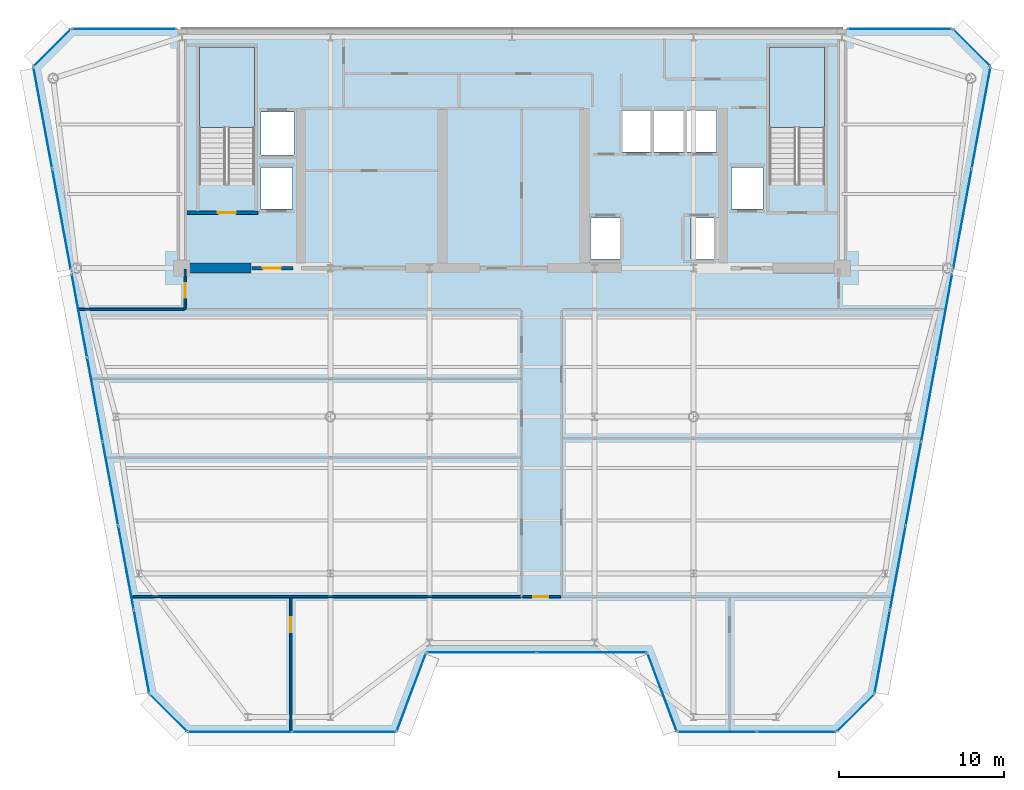
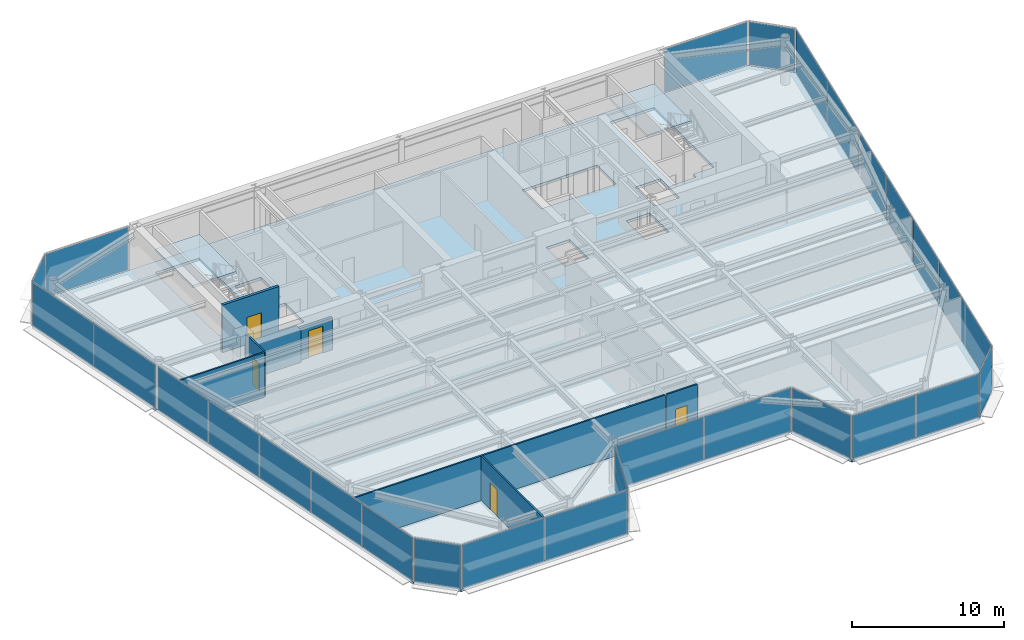
# One storey, part 10 of 17: 28 plates, 8 walls, 5 doors, 3 slabs, 5 openings, 17 elements without a shape of their own.
"""IFC4 building model written with IfcOpenShell, lengths in metres."""

from ifc_helpers import new_model, si_unit, direction, frame, frame_2d, origin, origin_2d, place, context, subcontext, project, spatial, polyline, rectangle, outline, extrude, source, transform, mapped, material, layer, layer_set, type_object, element, fill, aggregate, save


model = new_model("IFC4")

# Units and contexts
model_context = context("Model", 3, precision=1e-05, world=origin(), true_north=direction((0.0, 1.0)))
body_context = subcontext(model_context, "Body", "Model", "MODEL_VIEW")
ifc_project = project(units=[si_unit("LENGTHUNIT", "METRE"), si_unit("AREAUNIT", "SQUARE_METRE"), si_unit("VOLUMEUNIT", "CUBIC_METRE"), si_unit("PLANEANGLEUNIT", "RADIAN"), si_unit("MASSUNIT", "GRAM", prefix="KILO")], contexts=[model_context])

# Site, building, storey
site_placement = place(None, origin())
site = spatial("IfcSite", under=ifc_project, at=site_placement, CompositionType="ELEMENT")
building_placement = place(site_placement, origin())
building = spatial("IfcBuilding", under=site, at=building_placement, Name="Vaeldorn Concourse Tower", CompositionType="ELEMENT")
storey_placement = place(building_placement, frame((0.0, 0.0, 230.800048828125)))
storey = spatial("IfcBuildingStorey", under=building, at=storey_placement, Name="L59", CompositionType="ELEMENT", Elevation=230.800048828125)

# Stair, slab
ifc_material_1 = material(Name="Precast concrete C40/50", Category="concrete")
stair_type = type_object("IfcStairType", Name="STR-DOG-24x158", PredefinedType="HALF_TURN_STAIR", material=ifc_material_1)
stair_1_placement = place(storey_placement, origin())
stair_1 = element("IfcStair", 1, at=stair_1_placement, inside=storey, type_object=stair_type, Name="L59 West Core Exit Stair ST-1", PredefinedType="HALF_TURN_STAIR")
ifc_material_2 = material(Name="Concrete C40/50", Category="concrete")
ifc_layer_1 = layer(ifc_material_2, 0.199951171875)
ifc_layer_set_1 = layer_set([ifc_layer_1], Name="Concrete C40/50")
slab_type_1 = type_object("IfcSlabType", Name="SL-STAIR-LANDING", PredefinedType="LANDING", material=ifc_layer_set_1)
slab_1_placement = place(storey_placement, frame((0.0, 0.0, 1.699951171875)))
slab_1 = element("IfcSlab", 2, at=slab_1_placement, type_object=slab_type_1, Name="ST-1 landing 1", PredefinedType="LANDING", context=body_context, shape_type="SweptSolid", body=[
    extrude(outline(polyline([(18.39990234375, 45.010009765625), (18.39990234375, 49.89990234375), (15.050048828125, 49.89990234375), (15.050048828125, 45.010009765625), (18.39990234375, 45.010009765625)])), origin(), (0.0, 0.0, 1.0), 0.199951171875),
])
aggregate(stair_1, [slab_1])

stair_2_placement = place(storey_placement, origin())
stair_2 = element("IfcStair", 3, at=stair_2_placement, inside=storey, type_object=stair_type, Name="L59 East Core Exit Stair ST-2", PredefinedType="HALF_TURN_STAIR")
slab_2_placement = place(storey_placement, frame((0.0, 0.0, 1.699951171875)))
slab_2 = element("IfcSlab", 4, at=slab_2_placement, type_object=slab_type_1, Name="ST-2 landing 1", PredefinedType="LANDING", context=body_context, shape_type="SweptSolid", body=[
    extrude(outline(polyline([(52.949951171875, 45.010009765625), (52.949951171875, 49.89990234375), (49.60009765625, 49.89990234375), (49.60009765625, 45.010009765625), (52.949951171875, 45.010009765625)])), origin(), (0.0, 0.0, 1.0), 0.199951171875),
])
aggregate(stair_2, [slab_2])

# Slab
ifc_layer_2 = layer(ifc_material_2, 0.219970703125)
ifc_layer_set_2 = layer_set([ifc_layer_2], Name="Concrete C40/50")
slab_type_2 = type_object("IfcSlabType", Name="SL-TYP-220", PredefinedType="FLOOR", material=ifc_layer_set_2)
slab_3_placement = place(storey_placement, frame((0.0, 0.0, -0.219970703125)))
element("IfcSlab", 5, at=slab_3_placement, inside=storey, type_object=slab_type_2, Name="Structural Floor Slab L59", PredefinedType="FLOOR", context=body_context, shape_type="SweptSolid", body=[
    extrude(outline(polyline([(14.3291015625, 8.39990234375), (27.0, 8.39990234375), (28.800048828125, 13.199951171875), (42.199951171875, 13.199951171875), (44.0, 8.39990234375), (53.6708984375, 8.39990234375), (55.970947265625, 10.699951171875), (63.0, 48.699951171875), (60.699951171875, 51.0), (7.300048828125, 51.0), (5.0, 48.699951171875), (12.029052734375, 10.699951171875), (14.3291015625, 8.39990234375)]), holes=[polyline([(18.39990234375, 42.0), (18.39990234375, 49.89990234375), (15.050048828125, 49.89990234375), (15.050048828125, 41.60009765625), (16.800048828125, 41.60009765625), (16.800048828125, 42.0), (18.39990234375, 42.0)]), polyline([(52.949951171875, 42.0), (52.949951171875, 49.89990234375), (49.60009765625, 49.89990234375), (49.60009765625, 41.60009765625), (51.35009765625, 41.60009765625), (51.35009765625, 42.0), (52.949951171875, 42.0)]), polyline([(38.75, 37.050048828125), (40.550048828125, 37.050048828125), (40.550048828125, 39.550048828125), (38.75, 39.550048828125), (38.75, 37.050048828125)]), polyline([(44.85009765625, 37.050048828125), (46.64990234375, 37.050048828125), (46.64990234375, 39.550048828125), (44.85009765625, 39.550048828125), (44.85009765625, 37.050048828125)]), polyline([(40.699951171875, 43.550048828125), (46.39990234375, 43.550048828125), (46.39990234375, 46.050048828125), (40.699951171875, 46.050048828125), (40.699951171875, 43.550048828125)]), polyline([(18.800048828125, 43.35009765625), (20.800048828125, 43.35009765625), (20.800048828125, 45.949951171875), (18.800048828125, 45.949951171875), (18.800048828125, 43.35009765625)]), polyline([(18.800048828125, 40.10009765625), (20.699951171875, 40.10009765625), (20.699951171875, 42.60009765625), (18.800048828125, 42.60009765625), (18.800048828125, 40.10009765625)]), polyline([(47.300048828125, 40.10009765625), (49.199951171875, 40.10009765625), (49.199951171875, 42.60009765625), (47.300048828125, 42.60009765625), (47.300048828125, 40.10009765625)])]), origin(), (0.0, 0.0, 1.0), 0.219970703125),
])

# Curtain wall, plate
ifc_material_3 = material(Name="Anodised Bronze Aluminium", Category="aluminium")
ifc_layer_3 = layer(ifc_material_3, 0.179931640625)
ifc_layer_set_3 = layer_set([ifc_layer_3], Name="Anodised Bronze Aluminium")
curtain_wall_type = type_object("IfcCurtainWallType", Name="CW-SYS-05", PredefinedType="NOTDEFINED", material=ifc_layer_set_3)
curtain_wall_1_placement = place(storey_placement, origin())
curtain_wall_1 = element("IfcCurtainWall", 6, at=curtain_wall_1_placement, inside=storey, type_object=curtain_wall_type, Name="Unitised Curtain Wall CW-L59-E02-1", PredefinedType="NOTDEFINED")
ifc_material_4 = material(Name="Bronze Tinted Low-E Insulated Glass", Category="glass")
ifc_layer_4 = layer(ifc_material_4, 0.031982421875)
ifc_layer_set_4 = layer_set([ifc_layer_4], Name="Bronze Tinted Low-E Insulated Glass")
plate_type = type_object("IfcPlateType", Name="CWP-VISION-32", PredefinedType="CURTAIN_PANEL", material=ifc_layer_set_4)
shared_shape_1 = source(origin(), body_context, "Body", "SweptSolid", [
    extrude(rectangle(XDim=4.996337890625, YDim=0.031982421875, at=origin_2d()), origin(), (0.0, 0.0, 1.0), 3.449951171875),
])
plate_1_placement = place(storey_placement, frame((27.89990234375, 10.800048828125, 0.06494140625), z_axis=(0.0, 0.0, 1.0), x_axis=(0.351123441595, 0.936329177566, 0.0)))
plate_1 = element("IfcPlate", 7, at=plate_1_placement, type_object=plate_type, Name="CW-05 panel 1.1", PredefinedType="CURTAIN_PANEL", context=body_context, shape_type="MappedRepresentation", body=[
    mapped(shared_shape_1, transform((0.0, 0.0, 0.0), scale=1.0)),
])
aggregate(curtain_wall_1, [plate_1])

curtain_wall_2_placement = place(storey_placement, origin())
curtain_wall_2 = element("IfcCurtainWall", 8, at=curtain_wall_2_placement, inside=storey, type_object=curtain_wall_type, Name="Unitised Curtain Wall CW-L59-E04-1", PredefinedType="NOTDEFINED")
plate_2_placement = place(storey_placement, frame((43.10009765625, 10.800048828125, 0.06494140625), z_axis=(0.0, 0.0, 1.0), x_axis=(0.351123441595, -0.936329177566, 0.0)))
plate_2 = element("IfcPlate", 9, at=plate_2_placement, type_object=plate_type, Name="CW-05 panel 1.1", PredefinedType="CURTAIN_PANEL", context=body_context, shape_type="MappedRepresentation", body=[
    mapped(shared_shape_1, transform((0.0, 0.0, 0.0), scale=1.0)),
])
aggregate(curtain_wall_2, [plate_2])

# Curtain wall, plates
curtain_wall_3_placement = place(storey_placement, origin())
curtain_wall_3 = element("IfcCurtainWall", 10, at=curtain_wall_3_placement, inside=storey, type_object=curtain_wall_type, Name="Unitised Curtain Wall CW-L59-E03-1", PredefinedType="NOTDEFINED")
shared_shape_2 = source(origin(), body_context, "Body", "SweptSolid", [
    extrude(rectangle(XDim=6.6025390625, YDim=0.031982421875, at=origin_2d()), origin(), (0.0, 0.0, 1.0), 3.449951171875),
])
plate_3_placement = place(storey_placement, frame((32.166259765625, 13.199951171875, 0.06494140625), z_axis=(0.0, 0.0, 1.0), x_axis=(1.0, 0.0, 0.0)))
plate_3 = element("IfcPlate", 11, at=plate_3_placement, type_object=plate_type, Name="CW-05 panel 1.1", PredefinedType="CURTAIN_PANEL", context=body_context, shape_type="MappedRepresentation", body=[
    mapped(shared_shape_2, transform((0.0, 0.0, 0.0), scale=1.0)),
])
plate_4_placement = place(storey_placement, frame((38.833740234375, 13.199951171875, 0.06494140625), z_axis=(0.0, 0.0, 1.0), x_axis=(1.0, 0.0, 0.0)))
plate_4 = element("IfcPlate", 12, at=plate_4_placement, type_object=plate_type, Name="CW-05 panel 2.1", PredefinedType="CURTAIN_PANEL", context=body_context, shape_type="MappedRepresentation", body=[
    mapped(shared_shape_2, transform((0.0, 0.0, 0.0), scale=1.0)),
])
aggregate(curtain_wall_3, [plate_3, plate_4])

# Curtain wall, plate
curtain_wall_4_placement = place(storey_placement, origin())
curtain_wall_4 = element("IfcCurtainWall", 13, at=curtain_wall_4_placement, inside=storey, type_object=curtain_wall_type, Name="Unitised Curtain Wall CW-L59-E06-1", PredefinedType="NOTDEFINED")
shared_shape_3 = source(origin(), body_context, "Body", "SweptSolid", [
    extrude(rectangle(XDim=3.122802734375, YDim=0.031982421875, at=origin_2d()), origin(), (0.0, 0.0, 1.0), 3.449951171875),
])
plate_5_placement = place(storey_placement, frame((54.821044921875, 9.550048828125, 0.06494140625), z_axis=(0.0, 0.0, 1.0), x_axis=(0.707106781187, 0.707106781187, 0.0)))
plate_5 = element("IfcPlate", 14, at=plate_5_placement, type_object=plate_type, Name="CW-05 panel 1.1", PredefinedType="CURTAIN_PANEL", context=body_context, shape_type="MappedRepresentation", body=[
    mapped(shared_shape_3, transform((0.0, 0.0, 0.0), scale=1.0)),
])
aggregate(curtain_wall_4, [plate_5])

curtain_wall_5_placement = place(storey_placement, origin())
curtain_wall_5 = element("IfcCurtainWall", 15, at=curtain_wall_5_placement, inside=storey, type_object=curtain_wall_type, Name="Unitised Curtain Wall CW-L59-E08-1", PredefinedType="NOTDEFINED")
plate_6_placement = place(storey_placement, frame((61.85009765625, 49.85009765625, 0.06494140625), z_axis=(0.0, 0.0, 1.0), x_axis=(-0.707106781187, 0.707106781187, 0.0)))
plate_6 = element("IfcPlate", 16, at=plate_6_placement, type_object=plate_type, Name="CW-05 panel 1.1", PredefinedType="CURTAIN_PANEL", context=body_context, shape_type="MappedRepresentation", body=[
    mapped(shared_shape_3, transform((0.0, 0.0, 0.0), scale=1.0)),
])
aggregate(curtain_wall_5, [plate_6])

curtain_wall_6_placement = place(storey_placement, origin())
curtain_wall_6 = element("IfcCurtainWall", 17, at=curtain_wall_6_placement, inside=storey, type_object=curtain_wall_type, Name="Unitised Curtain Wall CW-L59-E10-1", PredefinedType="NOTDEFINED")
plate_7_placement = place(storey_placement, frame((6.14990234375, 49.85009765625, 0.06494140625), z_axis=(0.0, 0.0, 1.0), x_axis=(-0.707106781187, -0.707106781187, 0.0)))
plate_7 = element("IfcPlate", 18, at=plate_7_placement, type_object=plate_type, Name="CW-05 panel 1.1", PredefinedType="CURTAIN_PANEL", context=body_context, shape_type="MappedRepresentation", body=[
    mapped(shared_shape_3, transform((0.0, 0.0, 0.0), scale=1.0)),
])
aggregate(curtain_wall_6, [plate_7])

curtain_wall_7_placement = place(storey_placement, origin())
curtain_wall_7 = element("IfcCurtainWall", 19, at=curtain_wall_7_placement, inside=storey, type_object=curtain_wall_type, Name="Unitised Curtain Wall CW-L59-E12-1", PredefinedType="NOTDEFINED")
plate_8_placement = place(storey_placement, frame((13.178955078125, 9.550048828125, 0.06494140625), z_axis=(0.0, 0.0, 1.0), x_axis=(0.707106781187, -0.707106781187, 0.0)))
plate_8 = element("IfcPlate", 20, at=plate_8_placement, type_object=plate_type, Name="CW-05 panel 1.1", PredefinedType="CURTAIN_PANEL", context=body_context, shape_type="MappedRepresentation", body=[
    mapped(shared_shape_3, transform((0.0, 0.0, 0.0), scale=1.0)),
])
aggregate(curtain_wall_7, [plate_8])

curtain_wall_8_placement = place(storey_placement, origin())
curtain_wall_8 = element("IfcCurtainWall", 21, at=curtain_wall_8_placement, inside=storey, type_object=curtain_wall_type, Name="Unitised Curtain Wall CW-L59-E09-1", PredefinedType="NOTDEFINED")
shared_shape_4 = source(origin(), body_context, "Body", "SweptSolid", [
    extrude(rectangle(XDim=6.27490234375, YDim=0.031982421875, at=origin_2d()), origin(), (0.0, 0.0, 1.0), 3.449951171875),
])
plate_9_placement = place(storey_placement, frame((57.49755859375, 51.0, 0.06494140625), z_axis=(0.0, 0.0, 1.0), x_axis=(-1.0, 0.0, 0.0)))
plate_9 = element("IfcPlate", 22, at=plate_9_placement, type_object=plate_type, Name="CW-05 panel 1.1", PredefinedType="CURTAIN_PANEL", context=body_context, shape_type="MappedRepresentation", body=[
    mapped(shared_shape_4, transform((0.0, 0.0, 0.0), scale=1.0)),
])
aggregate(curtain_wall_8, [plate_9])

curtain_wall_9_placement = place(storey_placement, origin())
curtain_wall_9 = element("IfcCurtainWall", 23, at=curtain_wall_9_placement, inside=storey, type_object=curtain_wall_type, Name="Unitised Curtain Wall CW-L59-E09-2", PredefinedType="NOTDEFINED")
plate_10_placement = place(storey_placement, frame((10.50244140625, 51.0, 0.06494140625), z_axis=(0.0, 0.0, 1.0), x_axis=(-1.0, 0.0, 0.0)))
plate_10 = element("IfcPlate", 24, at=plate_10_placement, type_object=plate_type, Name="CW-05 panel 1.1", PredefinedType="CURTAIN_PANEL", context=body_context, shape_type="MappedRepresentation", body=[
    mapped(shared_shape_4, transform((0.0, 0.0, 0.0), scale=1.0)),
])
aggregate(curtain_wall_9, [plate_10])

# Curtain wall, plates
curtain_wall_10_placement = place(storey_placement, origin())
curtain_wall_10 = element("IfcCurtainWall", 25, at=curtain_wall_10_placement, inside=storey, type_object=curtain_wall_type, Name="Unitised Curtain Wall CW-L59-E01-1", PredefinedType="NOTDEFINED")
shared_shape_5 = source(origin(), body_context, "Body", "SweptSolid", [
    extrude(rectangle(XDim=6.238037109375, YDim=0.031982421875, at=origin_2d()), origin(), (0.0, 0.0, 1.0), 3.449951171875),
])
plate_11_placement = place(storey_placement, frame((17.512939453125, 8.39990234375, 0.06494140625), z_axis=(0.0, 0.0, 1.0), x_axis=(1.0, 0.0, 0.0)))
plate_11 = element("IfcPlate", 26, at=plate_11_placement, type_object=plate_type, Name="CW-05 panel 1.1", PredefinedType="CURTAIN_PANEL", context=body_context, shape_type="MappedRepresentation", body=[
    mapped(shared_shape_5, transform((0.0, 0.0, 0.0), scale=1.0)),
])
plate_12_placement = place(storey_placement, frame((23.81591796875, 8.39990234375, 0.06494140625), z_axis=(0.0, 0.0, 1.0), x_axis=(1.0, 0.0, 0.0)))
plate_12 = element("IfcPlate", 27, at=plate_12_placement, type_object=plate_type, Name="CW-05 panel 2.1", PredefinedType="CURTAIN_PANEL", context=body_context, shape_type="MappedRepresentation", body=[
    mapped(shared_shape_5, transform((0.0, 0.0, 0.0), scale=1.0)),
])
aggregate(curtain_wall_10, [plate_11, plate_12])

curtain_wall_11_placement = place(storey_placement, origin())
curtain_wall_11 = element("IfcCurtainWall", 28, at=curtain_wall_11_placement, inside=storey, type_object=curtain_wall_type, Name="Unitised Curtain Wall CW-L59-E05-1", PredefinedType="NOTDEFINED")
shared_shape_6 = source(origin(), body_context, "Body", "SweptSolid", [
    extrude(rectangle(XDim=4.738037109375, YDim=0.031982421875, at=origin_2d()), origin(), (0.0, 0.0, 1.0), 3.449951171875),
])
plate_13_placement = place(storey_placement, frame((46.43408203125, 8.39990234375, 0.06494140625), z_axis=(0.0, 0.0, 1.0), x_axis=(1.0, 0.0, 0.0)))
plate_13 = element("IfcPlate", 29, at=plate_13_placement, type_object=plate_type, Name="CW-05 panel 1.1", PredefinedType="CURTAIN_PANEL", context=body_context, shape_type="MappedRepresentation", body=[
    mapped(shared_shape_6, transform((0.0, 0.0, 0.0), scale=1.0)),
])
plate_14_placement = place(storey_placement, frame((51.237060546875, 8.39990234375, 0.06494140625), z_axis=(0.0, 0.0, 1.0), x_axis=(1.0, 0.0, 0.0)))
plate_14 = element("IfcPlate", 30, at=plate_14_placement, type_object=plate_type, Name="CW-05 panel 2.1", PredefinedType="CURTAIN_PANEL", context=body_context, shape_type="MappedRepresentation", body=[
    mapped(shared_shape_6, transform((0.0, 0.0, 0.0), scale=1.0)),
])
aggregate(curtain_wall_11, [plate_13, plate_14])

curtain_wall_12_placement = place(storey_placement, origin())
curtain_wall_12 = element("IfcCurtainWall", 31, at=curtain_wall_12_placement, inside=storey, type_object=curtain_wall_type, Name="Unitised Curtain Wall CW-L59-E07-1", PredefinedType="NOTDEFINED")
shared_shape_7 = source(origin(), body_context, "Body", "SweptSolid", [
    extrude(rectangle(XDim=5.0859375, YDim=0.031982421875, at=origin_2d()), origin(), (0.0, 0.0, 1.0), 3.449951171875),
])
plate_15_placement = place(storey_placement, frame((56.4453125, 13.264404296875, 0.06494140625), z_axis=(0.0, 0.0, 1.0), x_axis=(0.181889882456, 0.98331890588, 0.0)))
plate_15 = element("IfcPlate", 32, at=plate_15_placement, type_object=plate_type, Name="CW-05 panel 1.1", PredefinedType="CURTAIN_PANEL", context=body_context, shape_type="MappedRepresentation", body=[
    mapped(shared_shape_7, transform((0.0, 0.0, 0.0), scale=1.0)),
])
plate_16_placement = place(storey_placement, frame((60.210693359375, 33.62060546875, 0.06494140625), z_axis=(0.0, 0.0, 1.0), x_axis=(0.181889882456, 0.98331890588, 0.0)))
plate_16 = element("IfcPlate", 33, at=plate_16_placement, type_object=plate_type, Name="CW-05 panel 5.1", PredefinedType="CURTAIN_PANEL", context=body_context, shape_type="MappedRepresentation", body=[
    mapped(shared_shape_7, transform((0.0, 0.0, 0.0), scale=1.0)),
])

curtain_wall_13_placement = place(storey_placement, origin())
curtain_wall_13 = element("IfcCurtainWall", 34, at=curtain_wall_13_placement, inside=storey, type_object=curtain_wall_type, Name="Unitised Curtain Wall CW-L59-E11-2", PredefinedType="NOTDEFINED")
plate_17_placement = place(storey_placement, frame((7.789306640625, 33.62060546875, 0.06494140625), z_axis=(0.0, 0.0, 1.0), x_axis=(0.181889882456, -0.98331890588, 0.0)))
plate_17 = element("IfcPlate", 35, at=plate_17_placement, type_object=plate_type, Name="CW-05 panel 1.1", PredefinedType="CURTAIN_PANEL", context=body_context, shape_type="MappedRepresentation", body=[
    mapped(shared_shape_7, transform((0.0, 0.0, 0.0), scale=1.0)),
])
plate_18_placement = place(storey_placement, frame((11.5546875, 13.264404296875, 0.06494140625), z_axis=(0.0, 0.0, 1.0), x_axis=(0.181889882456, -0.98331890588, 0.0)))
plate_18 = element("IfcPlate", 36, at=plate_18_placement, type_object=plate_type, Name="CW-05 panel 5.1", PredefinedType="CURTAIN_PANEL", context=body_context, shape_type="MappedRepresentation", body=[
    mapped(shared_shape_7, transform((0.0, 0.0, 0.0), scale=1.0)),
])

# Plate
shared_shape_8 = source(origin(), body_context, "Body", "SweptSolid", [
    extrude(rectangle(XDim=5.118408203125, YDim=0.031982421875, at=origin_2d()), origin(), (0.0, 0.0, 1.0), 3.449951171875),
])
plate_19_placement = place(storey_placement, frame((57.38525390625, 18.345458984375, 0.06494140625), z_axis=(0.0, 0.0, 1.0), x_axis=(0.181889882456, 0.98331890588, 0.0)))
plate_19 = element("IfcPlate", 37, at=plate_19_placement, type_object=plate_type, Name="CW-05 panel 2.1", PredefinedType="CURTAIN_PANEL", context=body_context, shape_type="MappedRepresentation", body=[
    mapped(shared_shape_8, transform((0.0, 0.0, 0.0), scale=1.0)),
])

plate_20_placement = place(storey_placement, frame((58.328125, 23.4423828125, 0.06494140625), z_axis=(0.0, 0.0, 1.0), x_axis=(0.181889882456, 0.98331890588, 0.0)))
plate_20 = element("IfcPlate", 38, at=plate_20_placement, type_object=plate_type, Name="CW-05 panel 3.1", PredefinedType="CURTAIN_PANEL", context=body_context, shape_type="MappedRepresentation", body=[
    mapped(shared_shape_8, transform((0.0, 0.0, 0.0), scale=1.0)),
])

plate_21_placement = place(storey_placement, frame((59.270751953125, 28.53955078125, 0.06494140625), z_axis=(0.0, 0.0, 1.0), x_axis=(0.181889882456, 0.98331890588, 0.0)))
plate_21 = element("IfcPlate", 39, at=plate_21_placement, type_object=plate_type, Name="CW-05 panel 4.1", PredefinedType="CURTAIN_PANEL", context=body_context, shape_type="MappedRepresentation", body=[
    mapped(shared_shape_8, transform((0.0, 0.0, 0.0), scale=1.0)),
])

aggregate(curtain_wall_12, [plate_15, plate_19, plate_20, plate_21, plate_16])

plate_22_placement = place(storey_placement, frame((8.729248046875, 28.53955078125, 0.06494140625), z_axis=(0.0, 0.0, 1.0), x_axis=(0.181889882456, -0.98331890588, 0.0)))
plate_22 = element("IfcPlate", 40, at=plate_22_placement, type_object=plate_type, Name="CW-05 panel 2.1", PredefinedType="CURTAIN_PANEL", context=body_context, shape_type="MappedRepresentation", body=[
    mapped(shared_shape_8, transform((0.0, 0.0, 0.0), scale=1.0)),
])

plate_23_placement = place(storey_placement, frame((9.671875, 23.4423828125, 0.06494140625), z_axis=(0.0, 0.0, 1.0), x_axis=(0.181889882456, -0.98331890588, 0.0)))
plate_23 = element("IfcPlate", 41, at=plate_23_placement, type_object=plate_type, Name="CW-05 panel 3.1", PredefinedType="CURTAIN_PANEL", context=body_context, shape_type="MappedRepresentation", body=[
    mapped(shared_shape_8, transform((0.0, 0.0, 0.0), scale=1.0)),
])

plate_24_placement = place(storey_placement, frame((10.61474609375, 18.345458984375, 0.06494140625), z_axis=(0.0, 0.0, 1.0), x_axis=(0.181889882456, -0.98331890588, 0.0)))
plate_24 = element("IfcPlate", 42, at=plate_24_placement, type_object=plate_type, Name="CW-05 panel 4.1", PredefinedType="CURTAIN_PANEL", context=body_context, shape_type="MappedRepresentation", body=[
    mapped(shared_shape_8, transform((0.0, 0.0, 0.0), scale=1.0)),
])

aggregate(curtain_wall_13, [plate_17, plate_22, plate_23, plate_24, plate_18])

# Curtain wall, plates
curtain_wall_14_placement = place(storey_placement, origin())
curtain_wall_14 = element("IfcCurtainWall", 43, at=curtain_wall_14_placement, inside=storey, type_object=curtain_wall_type, Name="Unitised Curtain Wall CW-L59-E07-2", PredefinedType="NOTDEFINED")
shared_shape_9 = source(origin(), body_context, "Body", "SweptSolid", [
    extrude(rectangle(XDim=6.183837890625, YDim=0.031982421875, at=origin_2d()), origin(), (0.0, 0.0, 1.0), 3.449951171875),
])
plate_25_placement = place(storey_placement, frame((61.289306640625, 39.451171875, 0.06494140625), z_axis=(0.0, 0.0, 1.0), x_axis=(0.181888300792, 0.983319198447, 0.0)))
plate_25 = element("IfcPlate", 44, at=plate_25_placement, type_object=plate_type, Name="CW-05 panel 1.1", PredefinedType="CURTAIN_PANEL", context=body_context, shape_type="MappedRepresentation", body=[
    mapped(shared_shape_9, transform((0.0, 0.0, 0.0), scale=1.0)),
])
plate_26_placement = place(storey_placement, frame((62.42578125, 45.595703125, 0.06494140625), z_axis=(0.0, 0.0, 1.0), x_axis=(0.181888300792, 0.983319198447, 0.0)))
plate_26 = element("IfcPlate", 45, at=plate_26_placement, type_object=plate_type, Name="CW-05 panel 2.1", PredefinedType="CURTAIN_PANEL", context=body_context, shape_type="MappedRepresentation", body=[
    mapped(shared_shape_9, transform((0.0, 0.0, 0.0), scale=1.0)),
])
aggregate(curtain_wall_14, [plate_25, plate_26])

curtain_wall_15_placement = place(storey_placement, origin())
curtain_wall_15 = element("IfcCurtainWall", 46, at=curtain_wall_15_placement, inside=storey, type_object=curtain_wall_type, Name="Unitised Curtain Wall CW-L59-E11-1", PredefinedType="NOTDEFINED")
plate_27_placement = place(storey_placement, frame((5.57421875, 45.595703125, 0.06494140625), z_axis=(0.0, 0.0, 1.0), x_axis=(0.181888300792, -0.983319198447, 0.0)))
plate_27 = element("IfcPlate", 47, at=plate_27_placement, type_object=plate_type, Name="CW-05 panel 1.1", PredefinedType="CURTAIN_PANEL", context=body_context, shape_type="MappedRepresentation", body=[
    mapped(shared_shape_9, transform((0.0, 0.0, 0.0), scale=1.0)),
])
plate_28_placement = place(storey_placement, frame((6.710693359375, 39.451171875, 0.06494140625), z_axis=(0.0, 0.0, 1.0), x_axis=(0.181888300792, -0.983319198447, 0.0)))
plate_28 = element("IfcPlate", 48, at=plate_28_placement, type_object=plate_type, Name="CW-05 panel 2.1", PredefinedType="CURTAIN_PANEL", context=body_context, shape_type="MappedRepresentation", body=[
    mapped(shared_shape_9, transform((0.0, 0.0, 0.0), scale=1.0)),
])
aggregate(curtain_wall_15, [plate_27, plate_28])

# Wall
ifc_material_5 = material(Name="Concrete C50/60", Category="concrete")
ifc_layer_5 = layer(ifc_material_5, 0.60009765625)
ifc_layer_set_5 = layer_set([ifc_layer_5], Name="Concrete C50/60")
wall_type_1 = type_object("IfcWallType", Name="WL-CORE-600", PredefinedType="SHEAR", material=ifc_layer_set_5)
wall_1_placement = place(storey_placement, frame((14.320068359375, 36.5, 0.0), z_axis=(0.0, 0.0, 1.0), x_axis=(1.0, 0.0, 0.0)))
element("IfcWall", 49, at=wall_1_placement, inside=storey, type_object=wall_type_1, Name="Rear Core Shear Wall L59 S1", PredefinedType="SHEAR", context=body_context, shape_type="SweptSolid", body=[
    extrude(rectangle(XDim=3.8798828125, YDim=0.60009765625, at=frame_2d((1.93994140625, 0.0))), origin(), (0.0, 0.0, 1.0), 2.579833984375),
])

# Wall, opening, door
ifc_material_6 = material(Name="Gypsum Board Partition", Category="gypsum")
ifc_layer_6 = layer(ifc_material_6, 0.1201171875)
ifc_layer_set_6 = layer_set([ifc_layer_6], Name="Gypsum Board Partition")
wall_type_2 = type_object("IfcWallType", Name="WL-PART-120", PredefinedType="PARTITIONING", material=ifc_layer_set_6)
wall_2_placement = place(storey_placement, frame((14.199951171875, 34.0, 0.0), z_axis=(0.0, 0.0, 1.0), x_axis=(0.0, 1.0, 0.0)))
wall_2 = element("IfcWall", 50, at=wall_2_placement, inside=storey, type_object=wall_type_2, Name="Interior Wall PW-L59-C3W", PredefinedType="PARTITIONING", context=body_context, shape_type="SweptSolid", body=[
    extrude(rectangle(XDim=2.43994140625, YDim=0.1201171875, at=frame_2d((1.219970703125, 0.0))), origin(), (0.0, 0.0, 1.0), 3.579833984375),
])
opening_1_placement = place(wall_2_placement, frame((0.699951171875, 0.0, 0.0)))
opening_1 = element("IfcOpeningElement", 51, at=opening_1_placement, cuts=wall_2, Name="Opening D-03", PredefinedType="OPENING", context=body_context, shape_type="SweptSolid", body=[
    extrude(rectangle(XDim=0.89990234375, YDim=2.14990234375, at=frame_2d((0.449951171875, 1.074951171875))), frame((0.0, 0.070068359375, 0.0), z_axis=(0.0, -1.0, 0.0), x_axis=(1.0, 0.0, 0.0)), (0.0, 0.0, 1.0), 0.14013671875),
])
ifc_material_7 = material(Name="Acoustic Bronze-Framed Glass Door", Category="glass")
door_type_1 = type_object("IfcDoorType", Name="DR-INT-900", OperationType="NOTDEFINED", PredefinedType="DOOR", material=ifc_material_7)
shared_shape_10 = source(origin(), body_context, "Body", "SweptSolid", [
    extrude(rectangle(XDim=0.89990234375, YDim=2.14990234375, at=frame_2d((0.449951171875, 1.074951171875))), frame((0.0, 0.02490234375, 0.0), z_axis=(0.0, -1.0, 0.0), x_axis=(1.0, 0.0, 0.0)), (0.0, 0.0, 1.0), 0.050048828125),
])
door_1_placement = place(opening_1_placement, origin())
door_1 = element("IfcDoor", 52, at=door_1_placement, inside=storey, type_object=door_type_1, Name="Interior Door DR-L59-Z3NW", OperationType="SINGLE_SWING_LEFT", OverallHeight=2.14990234375, OverallWidth=0.89990234375, PredefinedType="DOOR", context=body_context, shape_type="MappedRepresentation", body=[
    mapped(shared_shape_10, transform((0.0, 0.0, 0.0), scale=1.0)),
])
fill(opening_1, door_1)

wall_3_placement = place(storey_placement, frame((34.639892578125, 16.60009765625, 0.0), z_axis=(0.0, 0.0, 1.0), x_axis=(1.0, 0.0, 0.0)))
wall_3 = element("IfcWall", 53, at=wall_3_placement, inside=storey, type_object=wall_type_2, Name="Interior Wall PW-L59-CSPS", PredefinedType="PARTITIONING", context=body_context, shape_type="SweptSolid", body=[
    extrude(rectangle(XDim=2.320068359375, YDim=0.1201171875, at=frame_2d((1.16015625, 0.0))), origin(), (0.0, 0.0, 1.0), 3.579833984375),
])
opening_2_placement = place(wall_3_placement, frame((0.64990234375, 0.0, 0.0)))
opening_2 = element("IfcOpeningElement", 54, at=opening_2_placement, cuts=wall_3, Name="Opening D-03", PredefinedType="OPENING", context=body_context, shape_type="SweptSolid", body=[
    extrude(rectangle(XDim=0.89990234375, YDim=2.14990234375, at=frame_2d((0.449951171875, 1.074951171875))), frame((0.0, 0.070068359375, 0.0), z_axis=(0.0, -1.0, 0.0), x_axis=(1.0, 0.0, 0.0)), (0.0, 0.0, 1.0), 0.14013671875),
])
door_2_placement = place(opening_2_placement, origin())
door_2 = element("IfcDoor", 55, at=door_2_placement, inside=storey, type_object=door_type_1, Name="Interior Door DR-L59-Z3SM", OperationType="SINGLE_SWING_LEFT", OverallHeight=2.14990234375, OverallWidth=0.89990234375, PredefinedType="DOOR", context=body_context, shape_type="MappedRepresentation", body=[
    mapped(shared_shape_10, transform((0.0, 0.0, 0.0), scale=1.0)),
])
fill(opening_2, door_2)

# Walls
wall_4_placement = place(storey_placement, frame((7.759033203125, 34.0, 0.0), z_axis=(0.0, 0.0, 1.0), x_axis=(1.0, 0.0, 0.0)))
element("IfcWall", 56, at=wall_4_placement, inside=storey, type_object=wall_type_2, Name="Interior Wall PW-L59-Z3NWB", PredefinedType="PARTITIONING", context=body_context, shape_type="SweptSolid", body=[
    extrude(rectangle(XDim=6.380859375, YDim=0.1201171875, at=frame_2d((3.1904296875, 0.0))), origin(), (0.0, 0.0, 1.0), 3.579833984375),
])
wall_5_placement = place(storey_placement, frame((10.977783203125, 16.60009765625, 0.0), z_axis=(0.0, 0.0, 1.0), x_axis=(1.0, 0.0, 0.0)))
element("IfcWall", 57, at=wall_5_placement, inside=storey, type_object=wall_type_2, Name="Interior Wall PW-L59-Z3SWL", PredefinedType="PARTITIONING", context=body_context, shape_type="SweptSolid", body=[
    extrude(rectangle(XDim=23.562255859375, YDim=0.1201171875, at=frame_2d((11.78125, 0.0))), origin(), (0.0, 0.0, 1.0), 3.579833984375),
])

# Wall, opening, door
wall_6_placement = place(storey_placement, frame((20.60009765625, 8.43994140625, 0.0), z_axis=(0.0, 0.0, 1.0), x_axis=(0.0, 1.0, 0.0)))
wall_6 = element("IfcWall", 58, at=wall_6_placement, inside=storey, type_object=wall_type_2, Name="Interior Wall PW-L59-Z3SX1", PredefinedType="PARTITIONING", context=body_context, shape_type="SweptSolid", body=[
    extrude(rectangle(XDim=8.10009765625, YDim=0.1201171875, at=frame_2d((4.050048828125, 0.0))), origin(), (0.0, 0.0, 1.0), 3.579833984375),
])
opening_3_placement = place(wall_6_placement, frame((6.0, 0.0, 0.0)))
opening_3 = element("IfcOpeningElement", 59, at=opening_3_placement, cuts=wall_6, Name="Opening D-03", PredefinedType="OPENING", context=body_context, shape_type="SweptSolid", body=[
    extrude(rectangle(XDim=0.89990234375, YDim=2.14990234375, at=frame_2d((0.449951171875, 1.074951171875))), frame((0.0, 0.070068359375, 0.0), z_axis=(0.0, -1.0, 0.0), x_axis=(1.0, 0.0, 0.0)), (0.0, 0.0, 1.0), 0.14013671875),
])
door_3_placement = place(opening_3_placement, origin())
door_3 = element("IfcDoor", 60, at=door_3_placement, inside=storey, type_object=door_type_1, Name="Interior Door DR-L59-Z3SX1", OperationType="SINGLE_SWING_RIGHT", OverallHeight=2.14990234375, OverallWidth=0.89990234375, PredefinedType="DOOR", context=body_context, shape_type="MappedRepresentation", body=[
    mapped(shared_shape_10, transform((0.0, 0.0, 0.0), scale=1.0)),
])
fill(opening_3, door_3)

ifc_layer_7 = layer(ifc_material_5, 0.199951171875)
ifc_layer_set_7 = layer_set([ifc_layer_7], Name="Concrete C50/60")
wall_type_3 = type_object("IfcWallType", Name="WL-SHAFT-200", PredefinedType="SOLIDWALL", material=ifc_layer_set_7)
wall_7_placement = place(storey_placement, frame((14.300048828125, 39.85009765625, 0.0), z_axis=(0.0, 0.0, 1.0), x_axis=(1.0, 0.0, 0.0)))
wall_7 = element("IfcWall", 61, at=wall_7_placement, inside=storey, type_object=wall_type_3, Name="Stair Shaft Wall CW-L59-ST-1-S", PredefinedType="SOLIDWALL", context=body_context, shape_type="SweptSolid", body=[
    extrude(rectangle(XDim=4.300048828125, YDim=0.199951171875, at=frame_2d((2.14990234375, 0.0))), origin(), (0.0, 0.0, 1.0), 3.800048828125),
])
opening_4_placement = place(wall_7_placement, frame((1.875, 0.0, 0.0)))
opening_4 = element("IfcOpeningElement", 62, at=opening_4_placement, cuts=wall_7, Name="Opening D-01", PredefinedType="OPENING", context=body_context, shape_type="SweptSolid", body=[
    extrude(rectangle(XDim=1.10009765625, YDim=2.14990234375, at=frame_2d((0.550048828125, 1.074951171875))), frame((0.0, 0.10986328125, 0.0), z_axis=(0.0, -1.0, 0.0), x_axis=(1.0, 0.0, 0.0)), (0.0, 0.0, 1.0), 0.219970703125),
])
ifc_material_8 = material(Name="Fire-Rated Timber and Steel Leaf", Category="steel")
door_type_2 = type_object("IfcDoorType", Name="DR-FD60-1100", OperationType="NOTDEFINED", PredefinedType="DOOR", material=ifc_material_8)
shared_shape_11 = source(origin(), body_context, "Body", "SweptSolid", [
    extrude(rectangle(XDim=1.10009765625, YDim=2.14990234375, at=frame_2d((0.550048828125, 1.074951171875))), frame((0.0, 0.02490234375, 0.0), z_axis=(0.0, -1.0, 0.0), x_axis=(1.0, 0.0, 0.0)), (0.0, 0.0, 1.0), 0.050048828125),
])
door_4_placement = place(opening_4_placement, origin())
door_4 = element("IfcDoor", 63, at=door_4_placement, inside=storey, type_object=door_type_2, Name="Interior Door DR-L59-ST-1", OperationType="SINGLE_SWING_LEFT", OverallHeight=2.14990234375, OverallWidth=1.10009765625, PredefinedType="DOOR", context=body_context, shape_type="MappedRepresentation", body=[
    mapped(shared_shape_11, transform((0.0, 0.0, 0.0), scale=1.0)),
])
fill(opening_4, door_4)

wall_8_placement = place(storey_placement, frame((18.25, 36.5, 0.0), z_axis=(0.0, 0.0, 1.0), x_axis=(1.0, 0.0, 0.0)))
wall_8 = element("IfcWall", 64, at=wall_8_placement, inside=storey, type_object=wall_type_3, Name="Interior Wall CW-L59-FF1S", PredefinedType="SOLIDWALL", context=body_context, shape_type="SweptSolid", body=[
    extrude(rectangle(XDim=2.469970703125, YDim=0.199951171875, at=frame_2d((1.23486328125, 0.0))), origin(), (0.0, 0.0, 1.0), 2.570068359375),
])
opening_5_placement = place(wall_8_placement, frame((0.64990234375, 0.0, 0.0)))
opening_5 = element("IfcOpeningElement", 65, at=opening_5_placement, cuts=wall_8, Name="Opening D-01", PredefinedType="OPENING", context=body_context, shape_type="SweptSolid", body=[
    extrude(rectangle(XDim=1.10009765625, YDim=2.14990234375, at=frame_2d((0.550048828125, 1.074951171875))), frame((0.0, 0.10986328125, 0.0), z_axis=(0.0, -1.0, 0.0), x_axis=(1.0, 0.0, 0.0)), (0.0, 0.0, 1.0), 0.219970703125),
])
door_5_placement = place(opening_5_placement, origin())
door_5 = element("IfcDoor", 66, at=door_5_placement, inside=storey, type_object=door_type_2, Name="Interior Door DR-L59-FF1E", OperationType="SINGLE_SWING_RIGHT", OverallHeight=2.14990234375, OverallWidth=1.10009765625, PredefinedType="DOOR", context=body_context, shape_type="MappedRepresentation", body=[
    mapped(shared_shape_11, transform((0.0, 0.0, 0.0), scale=1.0)),
])
fill(opening_5, door_5)

save(model, "model.ifc")
